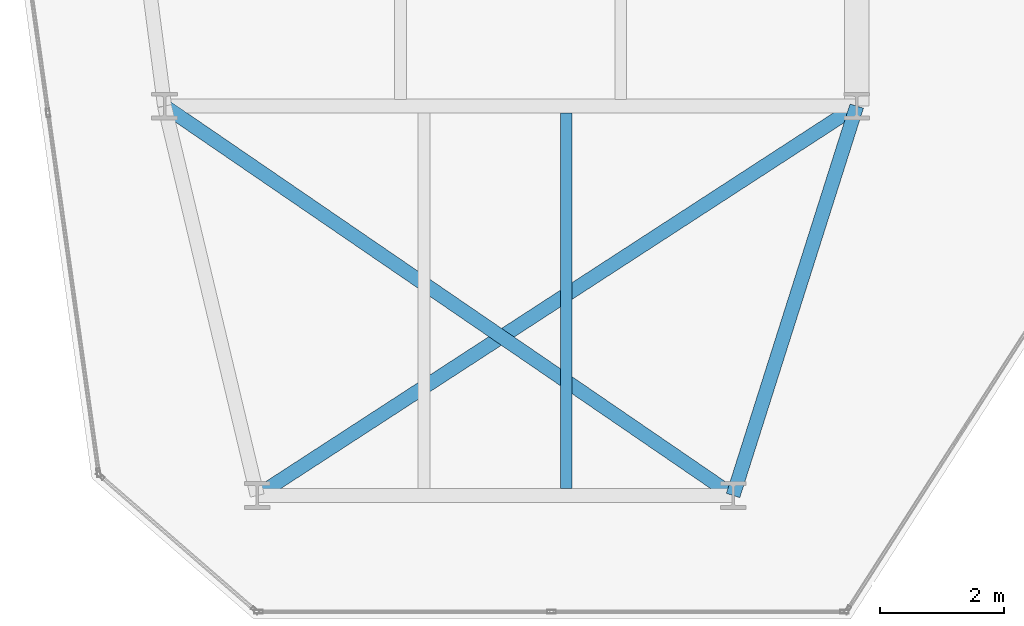
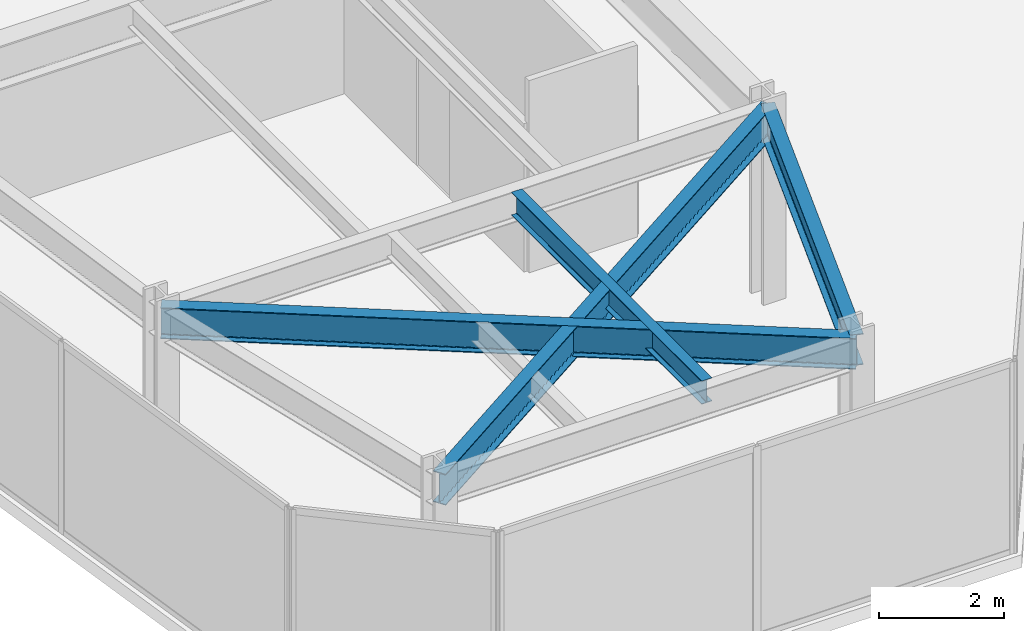
# One storey, part 4 of 26: 4 beams.
"""IFC4 building model written with IfcOpenShell, lengths in metres."""

import ifcopenshell
import ifcopenshell.guid

model = None  # the IFC model being written
_history = None  # IfcOwnerHistory: only IFC2X3 demands one
_inside = {}  # id of a spatial element -> (the spatial element, [elements in it])
_under = {}  # id of a project, library or spatial element -> (it, [spatial elements below it])
_declared = {}  # id of a project -> (the project, [libraries it declares])
_typed = {}  # id of a type object -> (the type object, [elements of that type])
_made_of = {}  # id of a material, layer set ... -> (it, [elements and type objects made of it])


def new_model(schema):
    """Start an empty IFC model of exactly this schema.

    Asked for "IFC4X3", IfcOpenShell would pick the latest addendum, in which some entities
    have other attributes; the version numbers below select the first issue.
    IFC2X3 requires an IfcOwnerHistory on every rooted entity: one is made here for all.
    """
    global model, _history
    if schema == "IFC4X3":
        model = ifcopenshell.file(schema_version=(4, 3, 0, 0))
    else:
        model = ifcopenshell.file(schema=schema)
    _inside.clear()
    _under.clear()
    _declared.clear()
    _typed.clear()
    _made_of.clear()
    _history = None
    if model.schema == "IFC2X3":
        org = make("IfcOrganization", Name="unknown")
        user = make(
            "IfcPersonAndOrganization",
            ThePerson=make("IfcPerson", FamilyName="unknown"),
            TheOrganization=org,
        )
        app = make(
            "IfcApplication",
            ApplicationDeveloper=org,
            Version="unknown",
            ApplicationFullName="unknown",
            ApplicationIdentifier="unknown",
        )
        _history = make(
            "IfcOwnerHistory",
            OwningUser=user,
            OwningApplication=app,
            ChangeAction="ADDED",
            CreationDate=0,
        )
    return model


def make(cls, **values):
    """One entity of the class cls with the attributes given. An attribute that is None is left unset."""
    return model.create_entity(
        cls, **{name: value for name, value in values.items() if value is not None}
    )


def rooted(cls, **values):
    """An entity with a GlobalId (a new one), such as an element, a storey or a relation."""
    return make(cls, GlobalId=ifcopenshell.guid.new(), OwnerHistory=_history, **values)


def si_unit(unit_type, name, prefix=None):
    """IfcSIUnit, for example si_unit("LENGTHUNIT", "METRE", prefix="MILLI")."""
    return make("IfcSIUnit", UnitType=unit_type, Prefix=prefix, Name=name)


def assignment(units):
    """IfcUnitAssignment: the units of a project."""
    return None if units is None else make("IfcUnitAssignment", Units=units)


def point(xyz):
    """IfcCartesianPoint."""
    return None if xyz is None else make("IfcCartesianPoint", Coordinates=xyz)


def direction(xyz):
    """IfcDirection."""
    return None if xyz is None else make("IfcDirection", DirectionRatios=xyz)


def frame(location, z_axis=None, x_axis=None):
    """IfcAxis2Placement3D, a coordinate frame: its origin and axes. An axis left out is left unset."""
    return make(
        "IfcAxis2Placement3D",
        Location=point(location),
        Axis=direction(z_axis),
        RefDirection=direction(x_axis),
    )


def frame_2d(location, x_axis=None):
    """IfcAxis2Placement2D, a coordinate frame in the plane: its origin and x axis."""
    return make(
        "IfcAxis2Placement2D", Location=point(location), RefDirection=direction(x_axis)
    )


def origin():
    """The frame at (0, 0, 0) with its axes left unset."""
    return frame((0.0, 0.0, 0.0))


def origin_2d():
    """The frame at (0, 0) in the plane with its x axis left unset."""
    return frame_2d((0.0, 0.0))


def place(relative_to, where):
    """IfcLocalPlacement: puts the frame where relative to a parent placement (None: the world)."""
    return make(
        "IfcLocalPlacement", PlacementRelTo=relative_to, RelativePlacement=where
    )


def context(
    kind, dimensions, precision=None, world=None, true_north=None, identifier=None
):
    """IfcGeometricRepresentationContext, for example the 3D "Model" context."""
    return make(
        "IfcGeometricRepresentationContext",
        ContextIdentifier=identifier,
        ContextType=kind,
        CoordinateSpaceDimension=dimensions,
        Precision=precision,
        WorldCoordinateSystem=world,
        TrueNorth=true_north,
    )


def subcontext(parent, identifier, kind, view, scale=None):
    """IfcGeometricRepresentationSubContext, for example "Body" below "Model"."""
    return make(
        "IfcGeometricRepresentationSubContext",
        ContextIdentifier=identifier,
        ContextType=kind,
        ParentContext=parent,
        TargetScale=scale,
        TargetView=view,
    )


def project(units=None, contexts=None):
    """IfcProject with its units and contexts."""
    return rooted(
        "IfcProject",
        Name="project",
        RepresentationContexts=contexts,
        UnitsInContext=assignment(units),
    )


def spatial(cls, under=None, at=None, **own):
    """A site, building, storey or space (cls), placed at a placement, below another one or the project."""
    s = rooted(cls, ObjectPlacement=at, **own)
    if under is not None:
        _under.setdefault(under.id(), (under, []))[1].append(s)
    return s


def profile(cls, at=None, kind="AREA", **sizes):
    """A parametric profile (cls). Its sizes go by their IFC names, for example OverallWidth=200.0."""
    return make(cls, ProfileType=kind, Position=at, **sizes)


def i_section(**sizes):
    """IfcIShapeProfileDef."""
    return profile("IfcIShapeProfileDef", **sizes)


def extrude(swept, where, along, depth):
    """IfcExtrudedAreaSolid: the profile swept, set in the frame where, extruded along a direction by depth."""
    return make(
        "IfcExtrudedAreaSolid",
        SweptArea=swept,
        Position=where,
        ExtrudedDirection=direction(along),
        Depth=depth,
    )


def shape(context_of_items, identifier, shape_type, items):
    """IfcShapeRepresentation: the items that make up one representation, for example the "Body"."""
    return make(
        "IfcShapeRepresentation",
        ContextOfItems=context_of_items,
        RepresentationIdentifier=identifier,
        RepresentationType=shape_type,
        Items=items,
    )


def material(Name=None, Category=None):
    """IfcMaterial."""
    return make("IfcMaterial", Name=Name, Category=Category)


def material_profile(
    of_material, cross_section, Name=None, Category=None, Priority=None
):
    """IfcMaterialProfile: a cross section and its material."""
    return make(
        "IfcMaterialProfile",
        Name=Name,
        Material=of_material,
        Profile=cross_section,
        Priority=Priority,
        Category=Category,
    )


def profile_set(profiles, Name=None, composite=None):
    """IfcMaterialProfileSet."""
    return make(
        "IfcMaterialProfileSet",
        Name=Name,
        MaterialProfiles=profiles,
        CompositeProfile=composite,
    )


def made_of(thing, what):
    """Note that an element or type object is made of a material, layer set ...; save() writes the relation."""
    if what is not None:
        _made_of.setdefault(what.id(), (what, []))[1].append(thing)
    return thing


def type_object(cls, material=None, **own):
    """A type object (cls), such as IfcWallType, which elements share."""
    return made_of(rooted(cls, **own), material)


def element(
    cls,
    number,
    at=None,
    inside=None,
    cuts=None,
    type_object=None,
    material=None,
    context=None,
    identifier="Body",
    shape_type=None,
    held_by="IfcProductDefinitionShape",
    body=None,
    shapes=None,
    **own,
):
    """One element of the class cls, such as IfcWall. Its Tag is "e" and its number.

    at: its placement. inside: the storey or other place that contains it. cuts: it is an
    opening in that element (IfcRelVoidsElement). A single representation is given by context,
    identifier, shape_type and body (its items); several are given by shapes. held_by: the class
    of the entity that holds the representations. save() writes the other relations.
    """
    e = rooted(cls, Tag="e%d" % number, ObjectPlacement=at, **own)
    if body is not None:
        shapes = [shape(context, identifier, shape_type, body)]
    if shapes is not None:
        e.Representation = make(held_by, Representations=shapes)
    if inside is not None:
        _inside.setdefault(inside.id(), (inside, []))[1].append(e)
    if cuts is not None:
        rooted(
            "IfcRelVoidsElement", RelatingBuildingElement=cuts, RelatedOpeningElement=e
        )
    if type_object is not None:
        _typed.setdefault(type_object.id(), (type_object, []))[1].append(e)
    return made_of(e, material)


def aggregate(whole, parts):
    """IfcRelAggregates: a whole, such as a stair, and the parts it consists of."""
    return rooted("IfcRelAggregates", RelatingObject=whole, RelatedObjects=parts)


def save(model, path):
    """Write the relations noted so far, then the file.

    IfcRelAggregates (storeys below a building ...), IfcRelContainedInSpatialStructure (elements
    in a storey), IfcRelDefinesByType, IfcRelAssociatesMaterial and IfcRelDeclares: one each for
    every whole, place, type object, material and project.
    """
    for whole, parts in _under.values():
        aggregate(whole, parts)
    for where, things in _inside.values():
        rooted(
            "IfcRelContainedInSpatialStructure",
            RelatedElements=things,
            RelatingStructure=where,
        )
    for kind, things in _typed.values():
        rooted("IfcRelDefinesByType", RelatedObjects=things, RelatingType=kind)
    for what, things in _made_of.values():
        rooted("IfcRelAssociatesMaterial", RelatedObjects=things, RelatingMaterial=what)
    for by, libraries in _declared.values():
        rooted("IfcRelDeclares", RelatingContext=by, RelatedDefinitions=libraries)
    model.write(path)


model = new_model("IFC4")

# Units and contexts
model_context = context("Model", 3, precision=1e-05, world=origin(), true_north=direction((0.0, 1.0)))
body_context = subcontext(model_context, "Body", "Model", "MODEL_VIEW")
ifc_project = project(units=[si_unit("LENGTHUNIT", "METRE"), si_unit("AREAUNIT", "SQUARE_METRE"), si_unit("VOLUMEUNIT", "CUBIC_METRE"), si_unit("PLANEANGLEUNIT", "RADIAN"), si_unit("MASSUNIT", "GRAM", prefix="KILO")], contexts=[model_context])

# Site, building, storey
site_placement = place(None, origin())
site = spatial("IfcSite", under=ifc_project, at=site_placement, CompositionType="ELEMENT")
building_placement = place(site_placement, origin())
building = spatial("IfcBuilding", under=site, at=building_placement, Name="Kravanh Interchange Tower", CompositionType="ELEMENT")
storey_placement = place(building_placement, frame((0.0, 0.0, 140.0)))
storey = spatial("IfcBuildingStorey", under=building, at=storey_placement, Name="L33", CompositionType="ELEMENT", Elevation=140.0)

# Beams
ifc_material_1 = material(Name="Structural Steel S355", Category="steel")
ifc_material_profile_1 = material_profile(ifc_material_1, i_section(OverallWidth=0.18994140625, OverallDepth=0.45703125, WebThickness=0.009033203125, FlangeThickness=0.014404296875, FilletRadius=0.01806640625, at=origin_2d()), Name="W18X50")
ifc_profile_set_1 = profile_set([ifc_material_profile_1], Name="Structural Steel S355")
beam_type_1 = type_object("IfcBeamType", Name="Floor Joist W18X50 Structural Steel S355", PredefinedType="JOIST", material=ifc_profile_set_1)
beam_1_placement = place(storey_placement, frame((22.501953125, 8.30908203125, 3.521484375), z_axis=(0.0, 1.0, 0.0), x_axis=(-1.0, 0.0, 0.0)))
element("IfcBeam", 1, at=beam_1_placement, inside=storey, type_object=beam_type_1, Name="L33 Secondary Floor Joist 2", PredefinedType="JOIST", context=body_context, shape_type="SweptSolid", body=[
    extrude(i_section(OverallWidth=0.18994140625, OverallDepth=0.45703125, WebThickness=0.009033203125, FlangeThickness=0.014404296875, FilletRadius=0.01806640625, at=origin_2d()), origin(), (0.0, 0.0, 1.0), 6.08203125),
])
ifc_material_2 = material(Name="Structural Steel S355", Category="steel")
ifc_material_profile_2 = material_profile(ifc_material_2, i_section(OverallWidth=0.22802734375, OverallDepth=0.60791015625, WebThickness=0.01123046875, FlangeThickness=0.017333984375, FilletRadius=0.02197265625, at=origin_2d()), Name="W24X76")
ifc_profile_set_2 = profile_set([ifc_material_profile_2], Name="Structural Steel S355")
beam_type_2 = type_object("IfcBeamType", Name="Floor Spandrel W24X76 Structural Steel S355", PredefinedType="SPANDREL", material=ifc_profile_set_2)
beam_2_placement = place(storey_placement, frame((17.5, 8.199951171875, 3.446044921875), z_axis=(0.838637911458, 0.544689318295, 0.0), x_axis=(-0.544689318295, 0.838637911458, 0.0)))
element("IfcBeam", 2, at=beam_2_placement, inside=storey, type_object=beam_type_2, Name="L33 Perimeter Spandrel 36", PredefinedType="SPANDREL", context=body_context, shape_type="SweptSolid", body=[
    extrude(i_section(OverallWidth=0.22802734375, OverallDepth=0.60791015625, WebThickness=0.01123046875, FlangeThickness=0.017333984375, FilletRadius=0.02197265625, at=origin_2d()), origin(), (0.0, 0.0, 1.0), 11.56640625),
])
beam_3_placement = place(storey_placement, frame((25.199951171875, 8.199951171875, 3.446044921875), z_axis=(0.30257700201, 0.953124943465, 0.0), x_axis=(-0.953124943465, 0.30257700201, 0.0)))
element("IfcBeam", 3, at=beam_3_placement, inside=storey, type_object=beam_type_2, Name="L33 Perimeter Spandrel 76", PredefinedType="SPANDREL", context=body_context, shape_type="SweptSolid", body=[
    extrude(i_section(OverallWidth=0.22802734375, OverallDepth=0.60791015625, WebThickness=0.01123046875, FlangeThickness=0.017333984375, FilletRadius=0.02197265625, at=origin_2d()), origin(), (0.0, 0.0, 1.0), 6.60986328125),
])
beam_4_placement = place(storey_placement, frame((25.199951171875, 8.199951171875, 3.446044921875), z_axis=(-0.825083781107, 0.565010401811, 0.0), x_axis=(-0.565010401811, -0.825083781107, 0.0)))
element("IfcBeam", 4, at=beam_4_placement, inside=storey, type_object=beam_type_2, Name="L33 Perimeter Spandrel 77", PredefinedType="SPANDREL", context=body_context, shape_type="SweptSolid", body=[
    extrude(i_section(OverallWidth=0.22802734375, OverallDepth=0.60791015625, WebThickness=0.01123046875, FlangeThickness=0.017333984375, FilletRadius=0.02197265625, at=origin_2d()), origin(), (0.0, 0.0, 1.0), 11.150390625),
])

save(model, "model.ifc")
